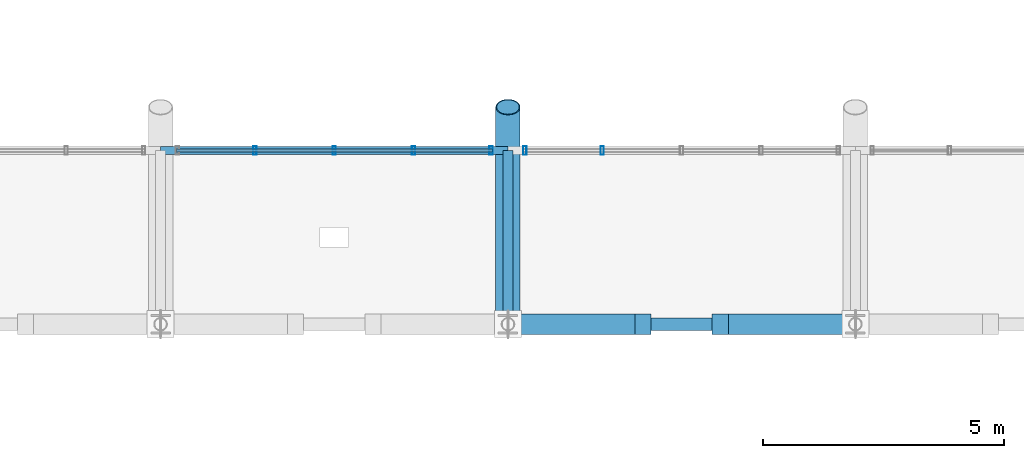
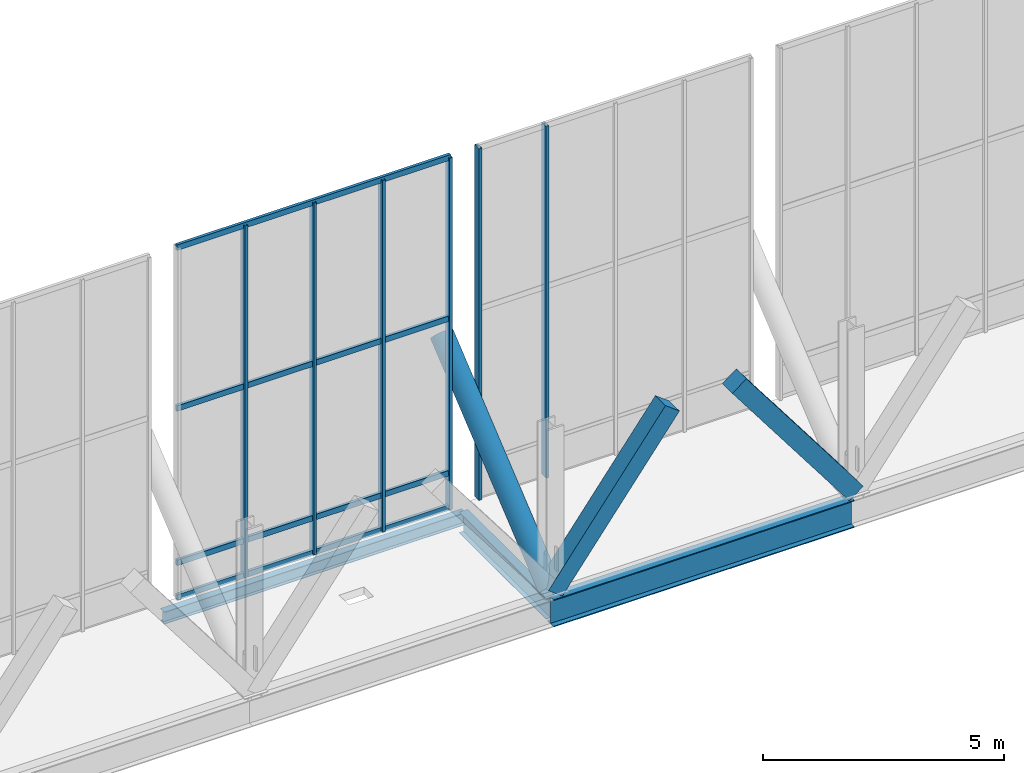
# One storey, part 29 of 102: 13 members, 3 beams, 2 elements without a shape of their own.
"""IFC4 building model written with IfcOpenShell, lengths in metres."""

from ifc_helpers import new_model, si_unit, direction, frame, origin, origin_2d, place, context, subcontext, project, spatial, rectangle, hollow_rectangle, hollow_circle, i_section, extrude, material, material_profile, profile_set, type_object, element, aggregate, save


model = new_model("IFC4")

# Units and contexts
model_context = context("Model", 3, precision=1e-05, world=origin(), true_north=direction((0.0, 1.0)))
body_context = subcontext(model_context, "Body", "Model", "MODEL_VIEW")
ifc_project = project(units=[si_unit("LENGTHUNIT", "METRE"), si_unit("AREAUNIT", "SQUARE_METRE"), si_unit("VOLUMEUNIT", "CUBIC_METRE"), si_unit("PLANEANGLEUNIT", "RADIAN"), si_unit("MASSUNIT", "GRAM", prefix="KILO")], contexts=[model_context])

# Site, building, storey
site_placement = place(None, origin())
site = spatial("IfcSite", under=ifc_project, at=site_placement, CompositionType="ELEMENT")
building_placement = place(site_placement, origin())
building = spatial("IfcBuilding", under=site, at=building_placement, Name="Yarey Park Central Fire Station", CompositionType="ELEMENT")
storey_placement = place(building_placement, frame((0.0, 0.0, 6.0)))
storey = spatial("IfcBuildingStorey", under=building, at=storey_placement, Name="L02", CompositionType="ELEMENT", Elevation=6.0)

# Curtain wall, members
ifc_material_1 = material(Name="Anodized Aluminium Frame", Category="aluminium")
curtain_wall_type = type_object("IfcCurtainWallType", Name="ENV_CW_CLER_9M", PredefinedType="NOTDEFINED", material=ifc_material_1)
curtain_wall_1_placement = place(storey_placement, origin())
curtain_wall_1 = element("IfcCurtainWall", 1, at=curtain_wall_1_placement, inside=storey, type_object=curtain_wall_type, Name="CW_V2_CLER_S_05", PredefinedType="NOTDEFINED")
ifc_material_profile_1 = material_profile(ifc_material_1, hollow_rectangle(XDim=0.070068359375, YDim=0.179931640625, WallThickness=0.00390625, at=origin_2d()), Name="ALU 180x70x4")
ifc_profile_set_1 = profile_set([ifc_material_profile_1], Name="Anodized Aluminium Frame")
member_type_1 = type_object("IfcMemberType", Name="ENV_CW_MULLION", PredefinedType="MULLION", material=ifc_profile_set_1)
member_1_placement = place(storey_placement, frame((88.35498046875, 61.199951171875, 0.0), z_axis=(0.0, 0.0, 1.0), x_axis=(1.0, 0.0, 0.0)))
member_1 = element("IfcMember", 2, at=member_1_placement, type_object=member_type_1, Name="CW_V2_CLER_S_05_MUL2", PredefinedType="MULLION", context=body_context, shape_type="SweptSolid", body=[
    extrude(hollow_rectangle(XDim=0.070068359375, YDim=0.179931640625, WallThickness=0.00390625, at=origin_2d()), origin(), (0.0, 0.0, 1.0), 8.89990234375),
])
member_2_placement = place(storey_placement, frame((90.0, 61.199951171875, 0.0), z_axis=(0.0, 0.0, 1.0), x_axis=(1.0, 0.0, 0.0)))
member_2 = element("IfcMember", 3, at=member_2_placement, type_object=member_type_1, Name="CW_V2_CLER_S_05_MUL3", PredefinedType="MULLION", context=body_context, shape_type="SweptSolid", body=[
    extrude(hollow_rectangle(XDim=0.070068359375, YDim=0.179931640625, WallThickness=0.00390625, at=origin_2d()), origin(), (0.0, 0.0, 1.0), 8.89990234375),
])
member_3_placement = place(storey_placement, frame((91.64501953125, 61.199951171875, 0.0), z_axis=(0.0, 0.0, 1.0), x_axis=(1.0, 0.0, 0.0)))
member_3 = element("IfcMember", 4, at=member_3_placement, type_object=member_type_1, Name="CW_V2_CLER_S_05_MUL4", PredefinedType="MULLION", context=body_context, shape_type="SweptSolid", body=[
    extrude(hollow_rectangle(XDim=0.070068359375, YDim=0.179931640625, WallThickness=0.00390625, at=origin_2d()), origin(), (0.0, 0.0, 1.0), 8.89990234375),
])
member_4_placement = place(storey_placement, frame((93.25, 61.199951171875, 0.0), z_axis=(0.0, 0.0, 1.0), x_axis=(1.0, 0.0, 0.0)))
member_4 = element("IfcMember", 5, at=member_4_placement, type_object=member_type_1, Name="CW_V2_CLER_S_05_MUL5", PredefinedType="MULLION", context=body_context, shape_type="SweptSolid", body=[
    extrude(hollow_rectangle(XDim=0.070068359375, YDim=0.179931640625, WallThickness=0.00390625, at=origin_2d()), origin(), (0.0, 0.0, 1.0), 8.89990234375),
])

curtain_wall_2_placement = place(storey_placement, origin())
curtain_wall_2 = element("IfcCurtainWall", 6, at=curtain_wall_2_placement, inside=storey, type_object=curtain_wall_type, Name="CW_V2_CLER_S_06", PredefinedType="NOTDEFINED")
member_5_placement = place(storey_placement, frame((93.949951171875, 61.199951171875, 0.0), z_axis=(0.0, 0.0, 1.0), x_axis=(1.0, 0.0, 0.0)))
member_5 = element("IfcMember", 7, at=member_5_placement, type_object=member_type_1, Name="CW_V2_CLER_S_06_MUL1", PredefinedType="MULLION", context=body_context, shape_type="SweptSolid", body=[
    extrude(hollow_rectangle(XDim=0.070068359375, YDim=0.179931640625, WallThickness=0.00390625, at=origin_2d()), origin(), (0.0, 0.0, 1.0), 8.89990234375),
])
member_6_placement = place(storey_placement, frame((95.554931640625, 61.199951171875, 0.0), z_axis=(0.0, 0.0, 1.0), x_axis=(1.0, 0.0, 0.0)))
member_6 = element("IfcMember", 8, at=member_6_placement, type_object=member_type_1, Name="CW_V2_CLER_S_06_MUL2", PredefinedType="MULLION", context=body_context, shape_type="SweptSolid", body=[
    extrude(hollow_rectangle(XDim=0.070068359375, YDim=0.179931640625, WallThickness=0.00390625, at=origin_2d()), origin(), (0.0, 0.0, 1.0), 8.89990234375),
])
aggregate(curtain_wall_2, [member_5, member_6])

# Member
ifc_material_profile_2 = material_profile(ifc_material_1, hollow_rectangle(XDim=0.070068359375, YDim=0.139892578125, WallThickness=0.00390625, at=origin_2d()), Name="ALU 140x70x4")
ifc_profile_set_2 = profile_set([ifc_material_profile_2], Name="Anodized Aluminium Frame")
member_type_2 = type_object("IfcMemberType", Name="ENV_CW_TRANSOM", PredefinedType="USERDEFINED", material=ifc_profile_set_2)
member_7_placement = place(storey_placement, frame((86.72509765625, 61.199951171875, 0.02490234375), z_axis=(1.0, 0.0, 0.0), x_axis=(0.0, 1.0, 0.0)))
member_7 = element("IfcMember", 9, at=member_7_placement, type_object=member_type_2, Name="CW_V2_CLER_S_05_TRN1", ObjectType="TRANSOM", PredefinedType="USERDEFINED", context=body_context, shape_type="SweptSolid", body=[
    extrude(hollow_rectangle(XDim=0.070068359375, YDim=0.139892578125, WallThickness=0.00390625, at=origin_2d()), origin(), (0.0, 0.0, 1.0), 6.5498046875),
])

member_8_placement = place(storey_placement, frame((86.72509765625, 61.199951171875, 0.89990234375), z_axis=(1.0, 0.0, 0.0), x_axis=(0.0, 1.0, 0.0)))
member_8 = element("IfcMember", 10, at=member_8_placement, type_object=member_type_2, Name="CW_V2_CLER_S_05_TRN2", ObjectType="TRANSOM", PredefinedType="USERDEFINED", context=body_context, shape_type="SweptSolid", body=[
    extrude(hollow_rectangle(XDim=0.070068359375, YDim=0.139892578125, WallThickness=0.00390625, at=origin_2d()), origin(), (0.0, 0.0, 1.0), 6.5498046875),
])

member_9_placement = place(storey_placement, frame((86.72509765625, 61.199951171875, 4.805908203125), z_axis=(1.0, 0.0, 0.0), x_axis=(0.0, 1.0, 0.0)))
member_9 = element("IfcMember", 11, at=member_9_placement, type_object=member_type_2, Name="CW_V2_CLER_S_05_TRN3", ObjectType="TRANSOM", PredefinedType="USERDEFINED", context=body_context, shape_type="SweptSolid", body=[
    extrude(hollow_rectangle(XDim=0.070068359375, YDim=0.139892578125, WallThickness=0.00390625, at=origin_2d()), origin(), (0.0, 0.0, 1.0), 6.5498046875),
])

member_10_placement = place(storey_placement, frame((86.72509765625, 61.199951171875, 8.875), z_axis=(1.0, 0.0, 0.0), x_axis=(0.0, 1.0, 0.0)))
member_10 = element("IfcMember", 12, at=member_10_placement, type_object=member_type_2, Name="CW_V2_CLER_S_05_TRN4", ObjectType="TRANSOM", PredefinedType="USERDEFINED", context=body_context, shape_type="SweptSolid", body=[
    extrude(hollow_rectangle(XDim=0.070068359375, YDim=0.139892578125, WallThickness=0.00390625, at=origin_2d()), origin(), (0.0, 0.0, 1.0), 6.5498046875),
])

aggregate(curtain_wall_1, [member_1, member_2, member_3, member_4, member_7, member_8, member_9, member_10])

# Beams
ifc_material_2 = material(Name="Steel ASTM A992 Gr. 50", Category="steel")
ifc_material_profile_3 = material_profile(ifc_material_2, i_section(OverallWidth=0.208984375, OverallDepth=0.532958984375, WebThickness=0.01025390625, FlangeThickness=0.015625, at=origin_2d()), Name="W530x92")
ifc_profile_set_3 = profile_set([ifc_material_profile_3], Name="Steel ASTM A992 Gr. 50")
beam_type_1 = type_object("IfcBeamType", Name="STR_BM_W530", PredefinedType="BEAM", material=ifc_profile_set_3)
beam_1_placement = place(storey_placement, frame((93.60009765625, 57.60009765625, -0.46142578125), z_axis=(0.0, 1.0, 0.0), x_axis=(-1.0, 0.0, 0.0)))
element("IfcBeam", 13, at=beam_1_placement, inside=storey, type_object=beam_type_1, Name="EAVE RIB S 05", PredefinedType="BEAM", context=body_context, shape_type="SweptSolid", body=[
    extrude(i_section(OverallWidth=0.208984375, OverallDepth=0.532958984375, WebThickness=0.01025390625, FlangeThickness=0.015625, at=origin_2d()), origin(), (0.0, 0.0, 1.0), 3.599853515625),
])
ifc_material_profile_4 = material_profile(ifc_material_2, i_section(OverallWidth=0.256103515625, OverallDepth=0.693115234375, WebThickness=0.014404296875, FlangeThickness=0.023681640625, at=origin_2d()), Name="W690x170")
ifc_profile_set_4 = profile_set([ifc_material_profile_4], Name="Steel ASTM A992 Gr. 50")
beam_type_2 = type_object("IfcBeamType", Name="STR_BM_W690", PredefinedType="BEAM", material=ifc_profile_set_4)
beam_2_placement = place(storey_placement, frame((93.60009765625, 57.60009765625, -0.54150390625), z_axis=(1.0, 0.0, 0.0), x_axis=(0.0, 1.0, 0.0)))
element("IfcBeam", 14, at=beam_2_placement, inside=storey, type_object=beam_type_2, Name="BMX L02 Y576 X936", PredefinedType="BEAM", context=body_context, shape_type="SweptSolid", body=[
    extrude(i_section(OverallWidth=0.256103515625, OverallDepth=0.693115234375, WebThickness=0.014404296875, FlangeThickness=0.023681640625, at=origin_2d()), origin(), (0.0, 0.0, 1.0), 7.199951171875),
])

# Member
ifc_material_3 = material(Name="Steel ASTM A500 Gr. C", Category="steel")
ifc_material_profile_5 = material_profile(ifc_material_3, hollow_circle(Radius=0.25390625, WallThickness=0.02001953125, at=origin_2d()), Name="CHS 508x20")
ifc_profile_set_5 = profile_set([ifc_material_profile_5], Name="Steel ASTM A500 Gr. C")
member_type_3 = type_object("IfcMemberType", Name="STR_CHORD_CHS508", PredefinedType="CHORD", material=ifc_profile_set_5)
member_11_placement = place(storey_placement, frame((93.60009765625, 57.60009765625, 0.0), z_axis=(0.0, 0.770847459396, 0.637019775473), x_axis=(-1.0, 0.0, 0.0)))
element("IfcMember", 15, at=member_11_placement, inside=storey, type_object=member_type_3, Name="Arched Roof Truss ART_06 Bottom Chord 1", PredefinedType="CHORD", context=body_context, shape_type="SweptSolid", body=[
    extrude(hollow_circle(Radius=0.25390625, WallThickness=0.02001953125, at=origin_2d()), origin(), (0.0, 0.0, 1.0), 5.837646484375),
])

# Beam
ifc_material_profile_6 = material_profile(ifc_material_2, i_section(OverallWidth=0.1650390625, OverallDepth=0.31005859375, WebThickness=0.005859375, FlangeThickness=0.009765625, at=origin_2d()), Name="W310x39")
ifc_profile_set_6 = profile_set([ifc_material_profile_6], Name="Steel ASTM A992 Gr. 50")
beam_type_3 = type_object("IfcBeamType", Name="STR_SPN_W310", PredefinedType="SPANDREL", material=ifc_profile_set_6)
beam_3_placement = place(storey_placement, frame((86.39990234375, 61.199951171875, -0.35009765625), z_axis=(1.0, 0.0, 0.0), x_axis=(0.0, 1.0, 0.0)))
element("IfcBeam", 16, at=beam_3_placement, inside=storey, type_object=beam_type_3, Name="EAVE EDG S 04", PredefinedType="SPANDREL", context=body_context, shape_type="SweptSolid", body=[
    extrude(i_section(OverallWidth=0.1650390625, OverallDepth=0.31005859375, WebThickness=0.005859375, FlangeThickness=0.009765625, at=origin_2d()), origin(), (0.0, 0.0, 1.0), 7.2001953125),
])

# Members
ifc_material_4 = material(Name="Glulam GL28h", Category="wood")
ifc_material_profile_7 = material_profile(ifc_material_4, rectangle(XDim=0.419921875, YDim=0.419921875, at=origin_2d()), Name="GL 420x420")
ifc_profile_set_7 = profile_set([ifc_material_profile_7], Name="Glulam GL28h")
member_type_4 = type_object("IfcMemberType", Name="STR_STRUT_GL420", PredefinedType="STRUT", material=ifc_profile_set_7)
member_12_placement = place(storey_placement, frame((93.60009765625, 57.60009765625, 0.02001953125), z_axis=(0.603420967868, 0.0, 0.797422808514), x_axis=(0.0, 1.0, 0.0)))
element("IfcMember", 17, at=member_12_placement, inside=storey, type_object=member_type_4, Name="Raked Glulam Strut RGS-041", PredefinedType="STRUT", context=body_context, shape_type="SweptSolid", body=[
    extrude(rectangle(XDim=0.419921875, YDim=0.419921875, at=origin_2d()), origin(), (0.0, 0.0, 1.0), 4.639892578125),
])
member_13_placement = place(storey_placement, frame((100.800048828125, 57.60009765625, 0.02001953125), z_axis=(-0.603454425048, 0.0, 0.797397489895), x_axis=(0.0, -1.0, 0.0)))
element("IfcMember", 18, at=member_13_placement, inside=storey, type_object=member_type_4, Name="Raked Glulam Strut RGS-046", PredefinedType="STRUT", context=body_context, shape_type="SweptSolid", body=[
    extrude(rectangle(XDim=0.419921875, YDim=0.419921875, at=origin_2d()), origin(), (0.0, 0.0, 1.0), 4.64013671875),
])

save(model, "model.ifc")
